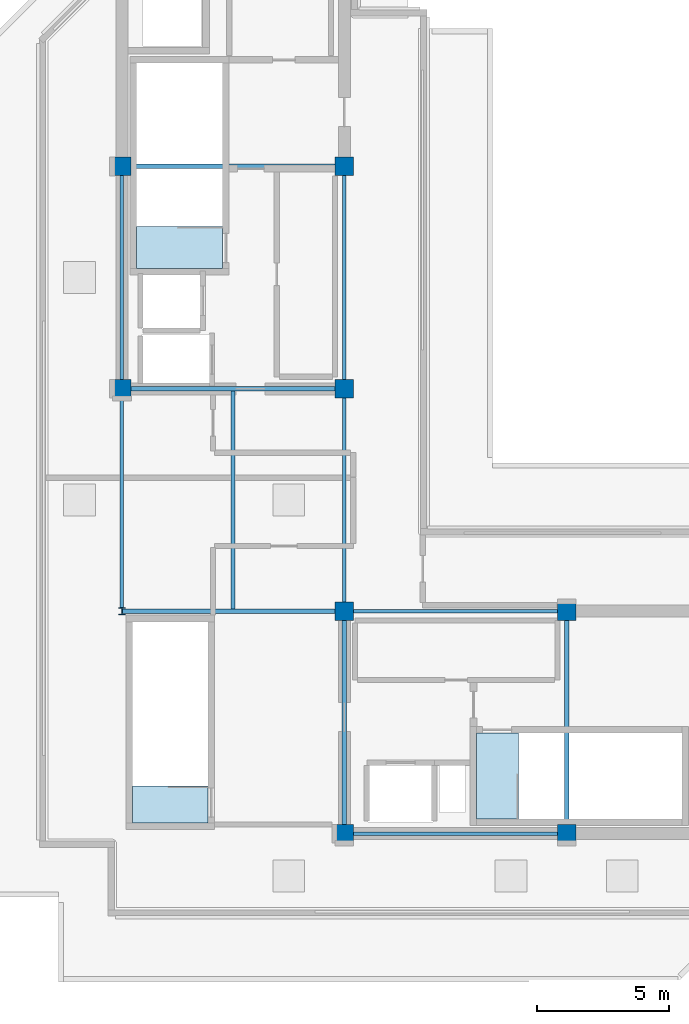
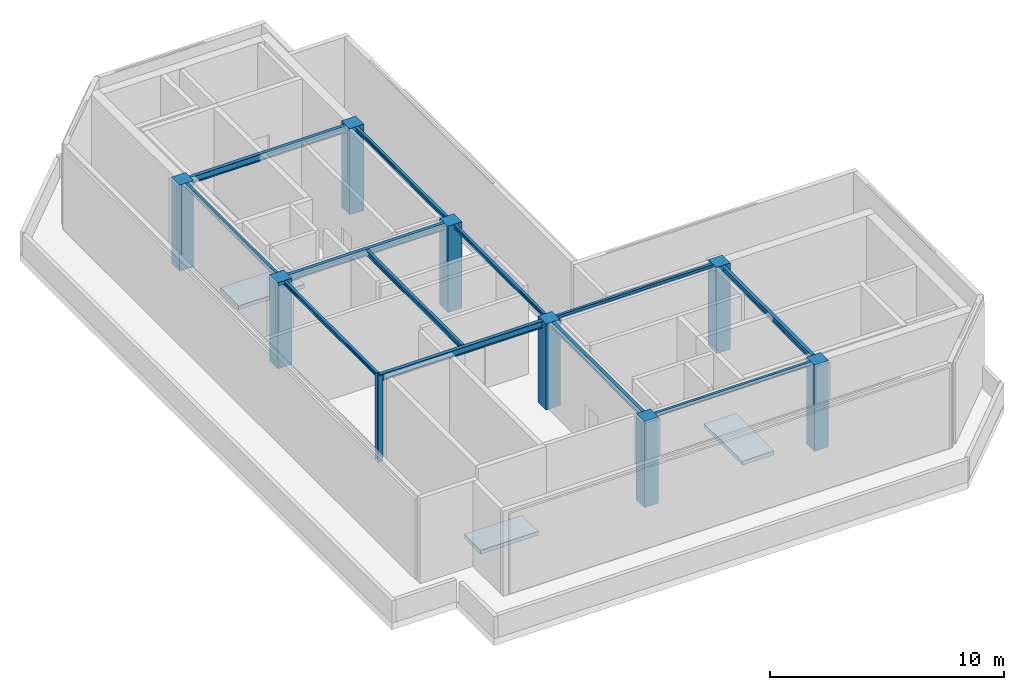
# One storey, part 1 of 5: 12 beams, 9 columns, 3 slabs.
"""IFC4 building model written with IfcOpenShell, lengths in metres."""

from ifc_helpers import new_model, si_unit, direction, frame, origin, origin_2d, place, context, subcontext, project, spatial, polyline, rectangle, i_section, outline, extrude, material, layer, layer_set, material_profile, profile_set, type_object, element, save


model = new_model("IFC4")

# Units and contexts
model_context = context("Model", 3, precision=1e-05, world=origin(), true_north=direction((0.0, 1.0)))
body_context = subcontext(model_context, "Body", "Model", "MODEL_VIEW")
ifc_project = project(units=[si_unit("LENGTHUNIT", "METRE"), si_unit("AREAUNIT", "SQUARE_METRE"), si_unit("VOLUMEUNIT", "CUBIC_METRE"), si_unit("PLANEANGLEUNIT", "RADIAN"), si_unit("MASSUNIT", "GRAM", prefix="KILO")], contexts=[model_context])

# Site, building, storey
site_placement = place(None, origin())
site = spatial("IfcSite", under=ifc_project, at=site_placement, CompositionType="ELEMENT")
building_placement = place(site_placement, origin())
building = spatial("IfcBuilding", under=site, at=building_placement, Name="Nerrivon Quay Data Exchange", CompositionType="ELEMENT")
storey_placement = place(building_placement, frame((0.0, 0.0, 338.39990234375)))
storey = spatial("IfcBuildingStorey", under=building, at=storey_placement, Name="L80", CompositionType="ELEMENT", Elevation=338.39990234375)

# Columns
ifc_material_1 = material(Name="Concrete N50 (50 MPa)", Category="concrete")
ifc_material_profile_1 = material_profile(ifc_material_1, rectangle(XDim=0.699951171875, YDim=0.699951171875, at=origin_2d()), Name="RC-COL-700x700")
ifc_profile_set_1 = profile_set([ifc_material_profile_1], Name="Concrete N50 (50 MPa)")
column_type_1 = type_object("IfcColumnType", Name="COL-C6-700", PredefinedType="COLUMN", material=ifc_profile_set_1)
for number, where, z_axis, x_axis, name in (
    (1, (8.39990234375, 25.199951171875, 0.0), (0.0, 0.0, 1.0), (1.0, 0.0, 0.0), "L80 Column (8.4,25.2)"),
    (2, (8.39990234375, 33.60009765625, 0.0), (0.0, 0.0, 1.0), (1.0, 0.0, 0.0), "L80 Column (8.4,33.6)"),
    (3, (16.800048828125, 8.39990234375, 0.0), (0.0, 0.0, 1.0), (1.0, 0.0, 0.0), "L80 Column (16.8,8.4)"),
    (4, (16.800048828125, 16.800048828125, 0.0), (0.0, 0.0, 1.0), (1.0, 0.0, 0.0), "L80 Column (16.8,16.8)"),
    (5, (16.800048828125, 25.199951171875, 0.0), (0.0, 0.0, 1.0), (1.0, 0.0, 0.0), "L80 Column (16.8,25.2)"),
    (6, (16.800048828125, 33.60009765625, 0.0), (0.0, 0.0, 1.0), (1.0, 0.0, 0.0), "L80 Column (16.8,33.6)"),
    (7, (25.199951171875, 8.39990234375, 0.0), (0.0, 0.0, 1.0), (1.0, 0.0, 0.0), "L80 Column (25.2,8.4)"),
    (8, (25.199951171875, 16.800048828125, 0.0), (0.0, 0.0, 1.0), (1.0, 0.0, 0.0), "L80 Column (25.2,16.8)"),
):
    element("IfcColumn", number, at=place(storey_placement, frame(where, z_axis=z_axis, x_axis=x_axis)), inside=storey, type_object=column_type_1, Name=name, PredefinedType="COLUMN", context=body_context, shape_type="SweptSolid", body=[
        extrude(rectangle(XDim=0.699951171875, YDim=0.699951171875, at=origin_2d()), origin(), (0.0, 0.0, 1.0), 4.5),
    ])
ifc_material_2 = material(Name="Steel Grade 350", Category="steel")
ifc_material_profile_2 = material_profile(ifc_material_2, i_section(OverallWidth=0.25390625, OverallDepth=0.25390625, WebThickness=0.008544921875, FlangeThickness=0.01416015625, FilletRadius=0.0126953125, at=origin_2d()), Name="250UC72.9")
ifc_profile_set_2 = profile_set([ifc_material_profile_2], Name="Steel Grade 350")
column_type_2 = type_object("IfcColumnType", Name="COL-SC6-250UC", PredefinedType="COLUMN", material=ifc_profile_set_2)
column_placement = place(storey_placement, frame((8.39990234375, 16.800048828125, 0.0), z_axis=(0.0, 0.0, 1.0), x_axis=(1.0, 0.0, 0.0)))
element("IfcColumn", 9, at=column_placement, inside=storey, type_object=column_type_2, Name="L80 Column (8.4,16.8)", PredefinedType="COLUMN", context=body_context, shape_type="SweptSolid", body=[
    extrude(i_section(OverallWidth=0.25390625, OverallDepth=0.25390625, WebThickness=0.008544921875, FlangeThickness=0.01416015625, FilletRadius=0.0126953125, at=origin_2d()), origin(), (0.0, 0.0, 1.0), 4.5),
])

# Beams
ifc_material_profile_3 = material_profile(ifc_material_2, i_section(OverallWidth=0.172119140625, OverallDepth=0.35888671875, WebThickness=0.008056640625, FlangeThickness=0.012939453125, FilletRadius=0.011474609375, at=origin_2d()), Name="360UB56.7")
ifc_profile_set_3 = profile_set([ifc_material_profile_3], Name="Steel Grade 350")
beam_type_1 = type_object("IfcBeamType", Name="BM-J3-360UB57", PredefinedType="JOIST", material=ifc_profile_set_3)
beam_1_placement = place(storey_placement, frame((8.404296875, 16.800048828125, 4.320556640625), z_axis=(1.0, 0.0, 0.0), x_axis=(0.0, 1.0, 0.0)))
element("IfcBeam", 10, at=beam_1_placement, inside=storey, type_object=beam_type_1, Name="L80 EW Girder Y=16.8 (8.4..16.8)", PredefinedType="JOIST", context=body_context, shape_type="SweptSolid", body=[
    extrude(i_section(OverallWidth=0.172119140625, OverallDepth=0.35888671875, WebThickness=0.008056640625, FlangeThickness=0.012939453125, FilletRadius=0.011474609375, at=origin_2d()), origin(), (0.0, 0.0, 1.0), 8.045654296875),
])
for number, where, z_axis, x_axis, name in (
    (11, (8.75, 25.199951171875, 4.320556640625), (1.0, 0.0, 0.0), (0.0, 1.0, 0.0), "L80 EW Girder Y=25.2 (8.4..16.8)"),
    (12, (8.75, 33.60009765625, 4.320556640625), (1.0, 0.0, 0.0), (0.0, 1.0, 0.0), "L80 EW Girder Y=33.6 (8.4..16.8)"),
):
    element("IfcBeam", number, at=place(storey_placement, frame(where, z_axis=z_axis, x_axis=x_axis)), inside=storey, type_object=beam_type_1, Name=name, PredefinedType="JOIST", context=body_context, shape_type="SweptSolid", body=[
        extrude(i_section(OverallWidth=0.172119140625, OverallDepth=0.35888671875, WebThickness=0.008056640625, FlangeThickness=0.012939453125, FilletRadius=0.011474609375, at=origin_2d()), origin(), (0.0, 0.0, 1.0), 7.699951171875),
    ])
ifc_material_profile_4 = material_profile(ifc_material_2, i_section(OverallWidth=0.166015625, OverallDepth=0.306884765625, WebThickness=0.006591796875, FlangeThickness=0.01171875, FilletRadius=0.011474609375, at=origin_2d()), Name="310UB46.2")
ifc_profile_set_4 = profile_set([ifc_material_profile_4], Name="Steel Grade 350")
beam_type_2 = type_object("IfcBeamType", Name="BM-J5-310UB46", PredefinedType="JOIST", material=ifc_profile_set_4)
for number, where, z_axis, x_axis, name in (
    (13, (16.800048828125, 8.75, 4.3466796875), (0.0, 1.0, 0.0), (-1.0, 0.0, 0.0), "L80 NS Girder X=16.8 (8.4..16.8)"),
    (14, (25.199951171875, 8.75, 4.3466796875), (0.0, 1.0, 0.0), (-1.0, 0.0, 0.0), "L80 NS Girder X=25.2 (8.4..16.8)"),
):
    element("IfcBeam", number, at=place(storey_placement, frame(where, z_axis=z_axis, x_axis=x_axis)), inside=storey, type_object=beam_type_2, Name=name, PredefinedType="JOIST", context=body_context, shape_type="SweptSolid", body=[
        extrude(i_section(OverallWidth=0.166015625, OverallDepth=0.306884765625, WebThickness=0.006591796875, FlangeThickness=0.01171875, FilletRadius=0.011474609375, at=origin_2d()), origin(), (0.0, 0.0, 1.0), 7.699951171875),
    ])
ifc_material_profile_5 = material_profile(ifc_material_2, i_section(OverallWidth=0.14599609375, OverallDepth=0.256103515625, WebThickness=0.00634765625, FlangeThickness=0.010986328125, FilletRadius=0.0087890625, at=origin_2d()), Name="250UB37.3")
ifc_profile_set_5 = profile_set([ifc_material_profile_5], Name="Steel Grade 350")
beam_type_3 = type_object("IfcBeamType", Name="BM-J7-250UB37", PredefinedType="JOIST", material=ifc_profile_set_5)
beam_2_placement = place(storey_placement, frame((12.60009765625, 16.885986328125, 4.3720703125), z_axis=(0.0, 1.0, 0.0), x_axis=(-1.0, 0.0, 0.0)))
element("IfcBeam", 15, at=beam_2_placement, inside=storey, type_object=beam_type_3, Name="L80 Secondary Joist X=12.6 (16.8..25.2)", PredefinedType="JOIST", context=body_context, shape_type="SweptSolid", body=[
    extrude(i_section(OverallWidth=0.14599609375, OverallDepth=0.256103515625, WebThickness=0.00634765625, FlangeThickness=0.010986328125, FilletRadius=0.0087890625, at=origin_2d()), origin(), (0.0, 0.0, 1.0), 8.22802734375),
])
ifc_material_profile_6 = material_profile(ifc_material_2, i_section(OverallWidth=0.134033203125, OverallDepth=0.20703125, WebThickness=0.00634765625, FlangeThickness=0.009521484375, FilletRadius=0.0087890625, at=origin_2d()), Name="200UB29.8")
ifc_profile_set_6 = profile_set([ifc_material_profile_6], Name="Steel Grade 350")
beam_type_4 = type_object("IfcBeamType", Name="BM-J8-200UB30", PredefinedType="JOIST", material=ifc_profile_set_6)
for number, where, z_axis, x_axis, name in (
    (16, (17.14990234375, 8.39990234375, 4.396484375), (1.0, 0.0, 0.0), (0.0, 1.0, 0.0), "L80 EW Girder Y=8.4 (16.8..25.2)"),
    (17, (17.14990234375, 16.800048828125, 4.396484375), (1.0, 0.0, 0.0), (0.0, 1.0, 0.0), "L80 EW Girder Y=16.8 (16.8..25.2)"),
):
    element("IfcBeam", number, at=place(storey_placement, frame(where, z_axis=z_axis, x_axis=x_axis)), inside=storey, type_object=beam_type_4, Name=name, PredefinedType="JOIST", context=body_context, shape_type="SweptSolid", body=[
        extrude(i_section(OverallWidth=0.134033203125, OverallDepth=0.20703125, WebThickness=0.00634765625, FlangeThickness=0.009521484375, FilletRadius=0.0087890625, at=origin_2d()), origin(), (0.0, 0.0, 1.0), 7.7001953125),
    ])
beam_3_placement = place(storey_placement, frame((8.39990234375, 16.927001953125, 4.396484375), z_axis=(0.0, 1.0, 0.0), x_axis=(-1.0, 0.0, 0.0)))
element("IfcBeam", 18, at=beam_3_placement, inside=storey, type_object=beam_type_4, Name="L80 NS Girder X=8.4 (16.8..25.2)", PredefinedType="JOIST", context=body_context, shape_type="SweptSolid", body=[
    extrude(i_section(OverallWidth=0.134033203125, OverallDepth=0.20703125, WebThickness=0.00634765625, FlangeThickness=0.009521484375, FilletRadius=0.0087890625, at=origin_2d()), origin(), (0.0, 0.0, 1.0), 7.923095703125),
])
beam_4_placement = place(storey_placement, frame((8.39990234375, 25.550048828125, 4.396484375), z_axis=(0.0, 1.0, 0.0), x_axis=(-1.0, 0.0, 0.0)))
element("IfcBeam", 19, at=beam_4_placement, inside=storey, type_object=beam_type_4, Name="L80 NS Girder X=8.4 (25.2..33.6)", PredefinedType="JOIST", context=body_context, shape_type="SweptSolid", body=[
    extrude(i_section(OverallWidth=0.134033203125, OverallDepth=0.20703125, WebThickness=0.00634765625, FlangeThickness=0.009521484375, FilletRadius=0.0087890625, at=origin_2d()), origin(), (0.0, 0.0, 1.0), 7.699951171875),
])
beam_5_placement = place(storey_placement, frame((16.800048828125, 17.14990234375, 4.396484375), z_axis=(0.0, 1.0, 0.0), x_axis=(-1.0, 0.0, 0.0)))
element("IfcBeam", 20, at=beam_5_placement, inside=storey, type_object=beam_type_4, Name="L80 NS Girder X=16.8 (16.8..25.2)", PredefinedType="JOIST", context=body_context, shape_type="SweptSolid", body=[
    extrude(i_section(OverallWidth=0.134033203125, OverallDepth=0.20703125, WebThickness=0.00634765625, FlangeThickness=0.009521484375, FilletRadius=0.0087890625, at=origin_2d()), origin(), (0.0, 0.0, 1.0), 7.7001953125),
])
beam_6_placement = place(storey_placement, frame((16.800048828125, 25.550048828125, 4.396484375), z_axis=(0.0, 1.0, 0.0), x_axis=(-1.0, 0.0, 0.0)))
element("IfcBeam", 21, at=beam_6_placement, inside=storey, type_object=beam_type_4, Name="L80 NS Girder X=16.8 (25.2..33.6)", PredefinedType="JOIST", context=body_context, shape_type="SweptSolid", body=[
    extrude(i_section(OverallWidth=0.134033203125, OverallDepth=0.20703125, WebThickness=0.00634765625, FlangeThickness=0.009521484375, FilletRadius=0.0087890625, at=origin_2d()), origin(), (0.0, 0.0, 1.0), 7.699951171875),
])

# Slabs
ifc_layer = layer(ifc_material_1, 0.199951171875)
ifc_layer_set = layer_set([ifc_layer], Name="Concrete N50 (50 MPa)")
slab_type = type_object("IfcSlabType", Name="SLB-LAND-200", PredefinedType="LANDING", material=ifc_layer_set)
slab_1_placement = place(storey_placement, frame((0.0, 0.0, -0.199951171875)))
element("IfcSlab", 22, at=slab_1_placement, inside=storey, type_object=slab_type, Name="L80 ST01 floor landing", PredefinedType="LANDING", context=body_context, shape_type="SweptSolid", body=[
    extrude(outline(polyline([(12.199951171875, 29.75), (12.199951171875, 31.330078125), (8.949951171875, 31.330078125), (8.949951171875, 29.75), (12.199951171875, 29.75)])), origin(), (0.0, 0.0, 1.0), 0.199951171875),
])
slab_2_placement = place(storey_placement, frame((0.0, 0.0, -0.199951171875)))
element("IfcSlab", 23, at=slab_2_placement, inside=storey, type_object=slab_type, Name="L80 ST02 floor landing", PredefinedType="LANDING", context=body_context, shape_type="SweptSolid", body=[
    extrude(outline(polyline([(21.800048828125, 8.949951171875), (23.3798828125, 8.949951171875), (23.3798828125, 12.199951171875), (21.800048828125, 12.199951171875), (21.800048828125, 8.949951171875)])), origin(), (0.0, 0.0, 1.0), 0.199951171875),
])
slab_3_placement = place(storey_placement, frame((0.0, 0.0, -0.199951171875)))
element("IfcSlab", 24, at=slab_3_placement, inside=storey, type_object=slab_type, Name="L80 ST08 floor landing", PredefinedType="LANDING", context=body_context, shape_type="SweptSolid", body=[
    extrude(outline(polyline([(11.64990234375, 8.800048828125), (11.64990234375, 10.199951171875), (8.800048828125, 10.199951171875), (8.800048828125, 8.800048828125), (11.64990234375, 8.800048828125)])), origin(), (0.0, 0.0, 1.0), 0.199951171875),
])

save(model, "model.ifc")
